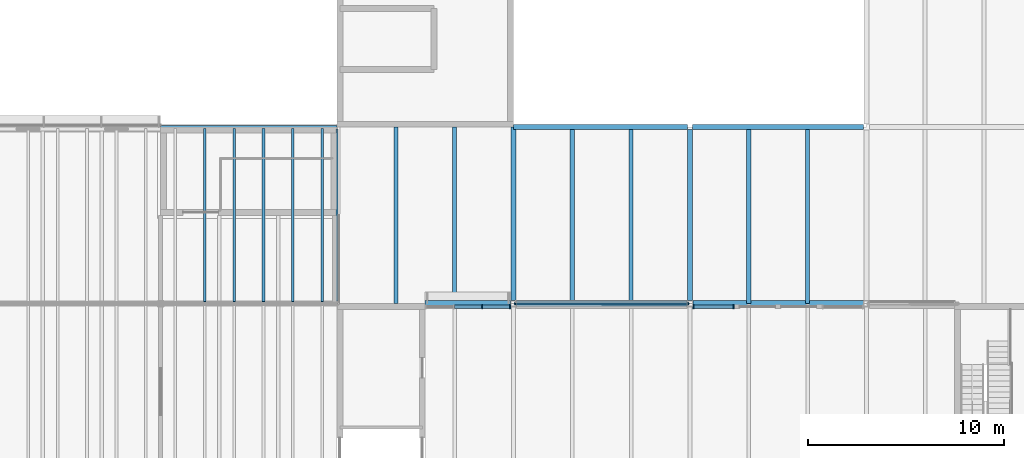
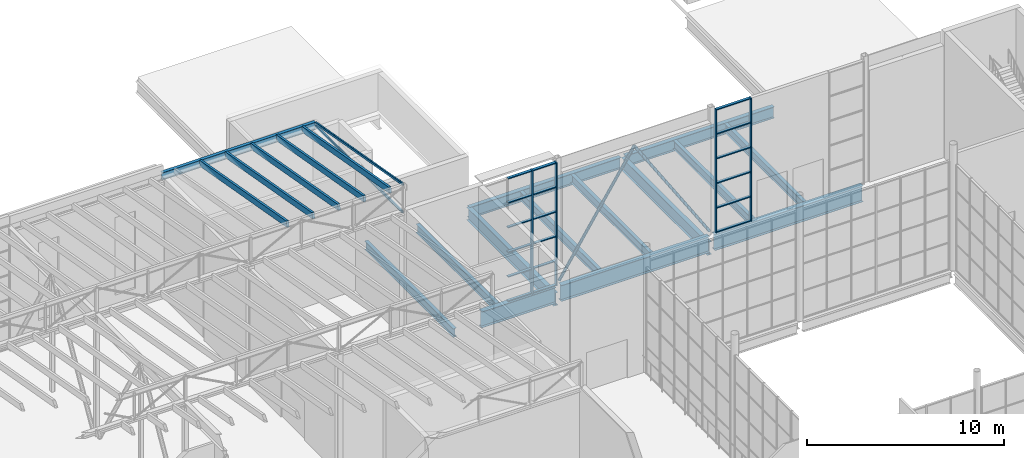
# One storey, part 61 of 90: 31 members, 14 beams, 2 elements without a shape of their own.
"""IFC4 building model written with IfcOpenShell, lengths in metres."""

from ifc_helpers import new_model, si_unit, direction, frame, origin, origin_2d, place, context, subcontext, project, spatial, rectangle, hollow_rectangle, hollow_circle, i_section, extrude, material, layer, layer_set, material_profile, profile_set, type_object, element, aggregate, save


model = new_model("IFC4")

# Units and contexts
model_context = context("Model", 3, precision=1e-05, world=origin(), true_north=direction((0.0, 1.0)))
body_context = subcontext(model_context, "Body", "Model", "MODEL_VIEW")
ifc_project = project(units=[si_unit("LENGTHUNIT", "METRE"), si_unit("AREAUNIT", "SQUARE_METRE"), si_unit("VOLUMEUNIT", "CUBIC_METRE"), si_unit("PLANEANGLEUNIT", "RADIAN"), si_unit("MASSUNIT", "GRAM", prefix="KILO")], contexts=[model_context])

# Site, building, storey
site_placement = place(None, origin())
site = spatial("IfcSite", under=ifc_project, at=site_placement, CompositionType="ELEMENT")
building_placement = place(site_placement, origin())
building = spatial("IfcBuilding", under=site, at=building_placement, Name="Halyard Row Museum", CompositionType="ELEMENT")
storey_placement = place(building_placement, frame((0.0, 0.0, 13.39990234375)))
storey = spatial("IfcBuildingStorey", under=building, at=storey_placement, Name="L03", CompositionType="ELEMENT", Elevation=13.39990234375)

# Members
ifc_material_1 = material(Name="Steel Grade C350L0", Category="steel")
ifc_material_profile_1 = material_profile(ifc_material_1, hollow_circle(Radius=0.084228515625, WallThickness=0.007080078125, at=origin_2d()), Name="168.3x7.1CHS")
ifc_profile_set_1 = profile_set([ifc_material_profile_1], Name="Steel Grade C350L0")
member_type_1 = type_object("IfcMemberType", Name="Brace 168.3x7.1CHS", PredefinedType="BRACE", material=ifc_profile_set_1)
for number, where, z_axis, x_axis, name in (
    (1, (81.10009765625, 36.0, 0.084228515625), (0.542663096229, 0.0, 0.839950453296), (0.0, 1.0, 0.0), "Brace L03 Y36 81-90 A"),
    (2, (89.89990234375, 36.0, 0.084228515625), (-0.542663096229, 0.0, 0.839950453296), (0.0, -1.0, 0.0), "Brace L03 Y36 81-90 B"),
):
    element("IfcMember", number, at=place(storey_placement, frame(where, z_axis=z_axis, x_axis=x_axis)), inside=storey, type_object=member_type_1, Name=name, PredefinedType="BRACE", context=body_context, shape_type="SweptSolid", body=[
        extrude(hollow_circle(Radius=0.084228515625, WallThickness=0.007080078125, at=origin_2d()), origin(), (0.0, 0.0, 1.0), 8.10791015625),
    ])

# Curtain wall, members
ifc_material_2 = material(Name="Double glazed unit, low-emissivity", Category="glass")
ifc_layer = layer(ifc_material_2, 0.219970703125)
ifc_layer_set = layer_set([ifc_layer], Name="Double glazed unit, low-emissivity")
curtain_wall_type = type_object("IfcCurtainWallType", Name="Curtain wall unitised 220 deep", PredefinedType="NOTDEFINED", material=ifc_layer_set)
curtain_wall_1_placement = place(storey_placement, origin())
curtain_wall_1 = element("IfcCurtainWall", 3, at=curtain_wall_1_placement, inside=storey, type_object=curtain_wall_type, Name="Curtain wall CW051", PredefinedType="NOTDEFINED")
ifc_material_3 = material(Name="Powder-coated aluminium section", Category="aluminium")
ifc_material_profile_2 = material_profile(ifc_material_3, rectangle(XDim=0.219970703125, YDim=0.06005859375, at=origin_2d()), Name="220x60 mullion")
ifc_profile_set_2 = profile_set([ifc_material_profile_2], Name="Powder-coated aluminium section")
member_type_2 = type_object("IfcMemberType", Name="Curtain wall mullion CM3 60 x 220", PredefinedType="MULLION", material=ifc_profile_set_2)
member_1_placement = place(storey_placement, frame((92.219970703125, 35.840087890625, 0.0), z_axis=(0.0, 0.0, 1.0), x_axis=(0.0, -1.0, 0.0)))
member_1 = element("IfcMember", 4, at=member_1_placement, type_object=member_type_2, Name="CW051 mullion 1", PredefinedType="MULLION", context=body_context, shape_type="SweptSolid", body=[
    extrude(rectangle(XDim=0.219970703125, YDim=0.06005859375, at=origin_2d()), origin(), (0.0, 0.0, 1.0), 7.635009765625),
])
member_2_placement = place(storey_placement, frame((90.179931640625, 35.840087890625, 0.0), z_axis=(0.0, 0.0, 1.0), x_axis=(0.0, -1.0, 0.0)))
member_2 = element("IfcMember", 5, at=member_2_placement, type_object=member_type_2, Name="CW051 mullion 2", PredefinedType="MULLION", context=body_context, shape_type="SweptSolid", body=[
    extrude(rectangle(XDim=0.219970703125, YDim=0.06005859375, at=origin_2d()), origin(), (0.0, 0.0, 1.0), 7.635009765625),
])

curtain_wall_2_placement = place(storey_placement, origin())
curtain_wall_2 = element("IfcCurtainWall", 6, at=curtain_wall_2_placement, inside=storey, type_object=curtain_wall_type, Name="Curtain wall CW052", PredefinedType="NOTDEFINED")
member_3_placement = place(storey_placement, frame((80.820068359375, 35.840087890625, 0.0), z_axis=(0.0, 0.0, 1.0), x_axis=(0.0, -1.0, 0.0)))
member_3 = element("IfcMember", 7, at=member_3_placement, type_object=member_type_2, Name="CW052 mullion 1", PredefinedType="MULLION", context=body_context, shape_type="SweptSolid", body=[
    extrude(rectangle(XDim=0.219970703125, YDim=0.06005859375, at=origin_2d()), origin(), (0.0, 0.0, 1.0), 7.635009765625),
])
member_4_placement = place(storey_placement, frame((79.39990234375, 35.840087890625, 0.0), z_axis=(0.0, 0.0, 1.0), x_axis=(0.0, -1.0, 0.0)))
member_4 = element("IfcMember", 8, at=member_4_placement, type_object=member_type_2, Name="CW052 mullion 2", PredefinedType="MULLION", context=body_context, shape_type="SweptSolid", body=[
    extrude(rectangle(XDim=0.219970703125, YDim=0.06005859375, at=origin_2d()), origin(), (0.0, 0.0, 1.0), 7.635009765625),
])

# Member
ifc_material_4 = material(Name="Powder-coated aluminium section", Category="aluminium")
ifc_material_profile_3 = material_profile(ifc_material_4, rectangle(XDim=0.159912109375, YDim=0.06005859375, at=origin_2d()), Name="160x60 transom")
ifc_profile_set_3 = profile_set([ifc_material_profile_3], Name="Powder-coated aluminium section")
member_type_3 = type_object("IfcMemberType", Name="Curtain wall transom CT3 60 x 160", PredefinedType="USERDEFINED", material=ifc_profile_set_3)
member_5_placement = place(storey_placement, frame((92.18994140625, 35.840087890625, 0.030029296875), z_axis=(-1.0, 0.0, 0.0), x_axis=(0.0, -1.0, 0.0)))
member_5 = element("IfcMember", 9, at=member_5_placement, type_object=member_type_3, Name="CW051 transom 1.1", ObjectType="TRANSOM", PredefinedType="USERDEFINED", context=body_context, shape_type="SweptSolid", body=[
    extrude(rectangle(XDim=0.159912109375, YDim=0.06005859375, at=origin_2d()), origin(), (0.0, 0.0, 1.0), 1.97998046875),
])

member_6_placement = place(storey_placement, frame((92.18994140625, 35.840087890625, 1.527099609375), z_axis=(-1.0, 0.0, 0.0), x_axis=(0.0, -1.0, 0.0)))
member_6 = element("IfcMember", 10, at=member_6_placement, type_object=member_type_3, Name="CW051 transom 1.2", ObjectType="TRANSOM", PredefinedType="USERDEFINED", context=body_context, shape_type="SweptSolid", body=[
    extrude(rectangle(XDim=0.159912109375, YDim=0.06005859375, at=origin_2d()), origin(), (0.0, 0.0, 1.0), 1.97998046875),
])

member_7_placement = place(storey_placement, frame((92.18994140625, 35.840087890625, 3.05419921875), z_axis=(-1.0, 0.0, 0.0), x_axis=(0.0, -1.0, 0.0)))
member_7 = element("IfcMember", 11, at=member_7_placement, type_object=member_type_3, Name="CW051 transom 1.3", ObjectType="TRANSOM", PredefinedType="USERDEFINED", context=body_context, shape_type="SweptSolid", body=[
    extrude(rectangle(XDim=0.159912109375, YDim=0.06005859375, at=origin_2d()), origin(), (0.0, 0.0, 1.0), 1.97998046875),
])

member_8_placement = place(storey_placement, frame((92.18994140625, 35.840087890625, 4.5810546875), z_axis=(-1.0, 0.0, 0.0), x_axis=(0.0, -1.0, 0.0)))
member_8 = element("IfcMember", 12, at=member_8_placement, type_object=member_type_3, Name="CW051 transom 1.4", ObjectType="TRANSOM", PredefinedType="USERDEFINED", context=body_context, shape_type="SweptSolid", body=[
    extrude(rectangle(XDim=0.159912109375, YDim=0.06005859375, at=origin_2d()), origin(), (0.0, 0.0, 1.0), 1.97998046875),
])

member_9_placement = place(storey_placement, frame((92.18994140625, 35.840087890625, 6.108154296875), z_axis=(-1.0, 0.0, 0.0), x_axis=(0.0, -1.0, 0.0)))
member_9 = element("IfcMember", 13, at=member_9_placement, type_object=member_type_3, Name="CW051 transom 1.5", ObjectType="TRANSOM", PredefinedType="USERDEFINED", context=body_context, shape_type="SweptSolid", body=[
    extrude(rectangle(XDim=0.159912109375, YDim=0.06005859375, at=origin_2d()), origin(), (0.0, 0.0, 1.0), 1.97998046875),
])

member_10_placement = place(storey_placement, frame((92.18994140625, 35.840087890625, 7.60498046875), z_axis=(-1.0, 0.0, 0.0), x_axis=(0.0, -1.0, 0.0)))
member_10 = element("IfcMember", 14, at=member_10_placement, type_object=member_type_3, Name="CW051 transom 1.6", ObjectType="TRANSOM", PredefinedType="USERDEFINED", context=body_context, shape_type="SweptSolid", body=[
    extrude(rectangle(XDim=0.159912109375, YDim=0.06005859375, at=origin_2d()), origin(), (0.0, 0.0, 1.0), 1.97998046875),
])

aggregate(curtain_wall_1, [member_1, member_2, member_5, member_6, member_7, member_8, member_9, member_10])

member_11_placement = place(storey_placement, frame((80.7900390625, 35.840087890625, 0.030029296875), z_axis=(-1.0, 0.0, 0.0), x_axis=(0.0, -1.0, 0.0)))
member_11 = element("IfcMember", 15, at=member_11_placement, type_object=member_type_3, Name="CW052 transom 1.1", ObjectType="TRANSOM", PredefinedType="USERDEFINED", context=body_context, shape_type="SweptSolid", body=[
    extrude(rectangle(XDim=0.159912109375, YDim=0.06005859375, at=origin_2d()), origin(), (0.0, 0.0, 1.0), 1.360107421875),
])

member_12_placement = place(storey_placement, frame((80.7900390625, 35.840087890625, 1.527099609375), z_axis=(-1.0, 0.0, 0.0), x_axis=(0.0, -1.0, 0.0)))
member_12 = element("IfcMember", 16, at=member_12_placement, type_object=member_type_3, Name="CW052 transom 1.2", ObjectType="TRANSOM", PredefinedType="USERDEFINED", context=body_context, shape_type="SweptSolid", body=[
    extrude(rectangle(XDim=0.159912109375, YDim=0.06005859375, at=origin_2d()), origin(), (0.0, 0.0, 1.0), 1.360107421875),
])

member_13_placement = place(storey_placement, frame((80.7900390625, 35.840087890625, 3.05419921875), z_axis=(-1.0, 0.0, 0.0), x_axis=(0.0, -1.0, 0.0)))
member_13 = element("IfcMember", 17, at=member_13_placement, type_object=member_type_3, Name="CW052 transom 1.3", ObjectType="TRANSOM", PredefinedType="USERDEFINED", context=body_context, shape_type="SweptSolid", body=[
    extrude(rectangle(XDim=0.159912109375, YDim=0.06005859375, at=origin_2d()), origin(), (0.0, 0.0, 1.0), 1.360107421875),
])

member_14_placement = place(storey_placement, frame((80.7900390625, 35.840087890625, 4.5810546875), z_axis=(-1.0, 0.0, 0.0), x_axis=(0.0, -1.0, 0.0)))
member_14 = element("IfcMember", 18, at=member_14_placement, type_object=member_type_3, Name="CW052 transom 1.4", ObjectType="TRANSOM", PredefinedType="USERDEFINED", context=body_context, shape_type="SweptSolid", body=[
    extrude(rectangle(XDim=0.159912109375, YDim=0.06005859375, at=origin_2d()), origin(), (0.0, 0.0, 1.0), 1.360107421875),
])

member_15_placement = place(storey_placement, frame((80.7900390625, 35.840087890625, 6.108154296875), z_axis=(-1.0, 0.0, 0.0), x_axis=(0.0, -1.0, 0.0)))
member_15 = element("IfcMember", 19, at=member_15_placement, type_object=member_type_3, Name="CW052 transom 1.5", ObjectType="TRANSOM", PredefinedType="USERDEFINED", context=body_context, shape_type="SweptSolid", body=[
    extrude(rectangle(XDim=0.159912109375, YDim=0.06005859375, at=origin_2d()), origin(), (0.0, 0.0, 1.0), 1.360107421875),
])

member_16_placement = place(storey_placement, frame((80.7900390625, 35.840087890625, 7.60498046875), z_axis=(-1.0, 0.0, 0.0), x_axis=(0.0, -1.0, 0.0)))
member_16 = element("IfcMember", 20, at=member_16_placement, type_object=member_type_3, Name="CW052 transom 1.6", ObjectType="TRANSOM", PredefinedType="USERDEFINED", context=body_context, shape_type="SweptSolid", body=[
    extrude(rectangle(XDim=0.159912109375, YDim=0.06005859375, at=origin_2d()), origin(), (0.0, 0.0, 1.0), 1.360107421875),
])

member_17_placement = place(storey_placement, frame((79.3701171875, 35.840087890625, 0.030029296875), z_axis=(-1.0, 0.0, 0.0), x_axis=(0.0, -1.0, 0.0)))
member_17 = element("IfcMember", 21, at=member_17_placement, type_object=member_type_3, Name="CW052 transom 2.1", ObjectType="TRANSOM", PredefinedType="USERDEFINED", context=body_context, shape_type="SweptSolid", body=[
    extrude(rectangle(XDim=0.159912109375, YDim=0.06005859375, at=origin_2d()), origin(), (0.0, 0.0, 1.0), 1.39013671875),
])

member_18_placement = place(storey_placement, frame((79.3701171875, 35.840087890625, 1.527099609375), z_axis=(-1.0, 0.0, 0.0), x_axis=(0.0, -1.0, 0.0)))
member_18 = element("IfcMember", 22, at=member_18_placement, type_object=member_type_3, Name="CW052 transom 2.2", ObjectType="TRANSOM", PredefinedType="USERDEFINED", context=body_context, shape_type="SweptSolid", body=[
    extrude(rectangle(XDim=0.159912109375, YDim=0.06005859375, at=origin_2d()), origin(), (0.0, 0.0, 1.0), 1.39013671875),
])

member_19_placement = place(storey_placement, frame((79.3701171875, 35.840087890625, 3.05419921875), z_axis=(-1.0, 0.0, 0.0), x_axis=(0.0, -1.0, 0.0)))
member_19 = element("IfcMember", 23, at=member_19_placement, type_object=member_type_3, Name="CW052 transom 2.3", ObjectType="TRANSOM", PredefinedType="USERDEFINED", context=body_context, shape_type="SweptSolid", body=[
    extrude(rectangle(XDim=0.159912109375, YDim=0.06005859375, at=origin_2d()), origin(), (0.0, 0.0, 1.0), 1.39013671875),
])

member_20_placement = place(storey_placement, frame((79.3701171875, 35.840087890625, 4.5810546875), z_axis=(-1.0, 0.0, 0.0), x_axis=(0.0, -1.0, 0.0)))
member_20 = element("IfcMember", 24, at=member_20_placement, type_object=member_type_3, Name="CW052 transom 2.4", ObjectType="TRANSOM", PredefinedType="USERDEFINED", context=body_context, shape_type="SweptSolid", body=[
    extrude(rectangle(XDim=0.159912109375, YDim=0.06005859375, at=origin_2d()), origin(), (0.0, 0.0, 1.0), 1.39013671875),
])

member_21_placement = place(storey_placement, frame((79.3701171875, 35.840087890625, 6.108154296875), z_axis=(-1.0, 0.0, 0.0), x_axis=(0.0, -1.0, 0.0)))
member_21 = element("IfcMember", 25, at=member_21_placement, type_object=member_type_3, Name="CW052 transom 2.5", ObjectType="TRANSOM", PredefinedType="USERDEFINED", context=body_context, shape_type="SweptSolid", body=[
    extrude(rectangle(XDim=0.159912109375, YDim=0.06005859375, at=origin_2d()), origin(), (0.0, 0.0, 1.0), 1.39013671875),
])

member_22_placement = place(storey_placement, frame((79.3701171875, 35.840087890625, 7.60498046875), z_axis=(-1.0, 0.0, 0.0), x_axis=(0.0, -1.0, 0.0)))
member_22 = element("IfcMember", 26, at=member_22_placement, type_object=member_type_3, Name="CW052 transom 2.6", ObjectType="TRANSOM", PredefinedType="USERDEFINED", context=body_context, shape_type="SweptSolid", body=[
    extrude(rectangle(XDim=0.159912109375, YDim=0.06005859375, at=origin_2d()), origin(), (0.0, 0.0, 1.0), 1.39013671875),
])

aggregate(curtain_wall_2, [member_3, member_4, member_11, member_12, member_13, member_14, member_15, member_16, member_17, member_18, member_19, member_20, member_21, member_22])

# Beams
ifc_material_5 = material(Name="Steel Grade 300", Category="steel")
ifc_material_profile_4 = material_profile(ifc_material_5, i_section(OverallWidth=0.19091796875, OverallDepth=0.46044921875, WebThickness=0.010009765625, FlangeThickness=0.01611328125, FilletRadius=0.011474609375, at=origin_2d()), Name="460UB82.1")
ifc_profile_set_4 = profile_set([ifc_material_profile_4], Name="Steel Grade 300")
beam_type_1 = type_object("IfcBeamType", Name="Eave girder 460UB82.1", PredefinedType="BEAM", material=ifc_profile_set_4)
beam_1_placement = place(storey_placement, frame((63.0, 45.0, 7.449951171875), z_axis=(1.0, 0.0, 0.0), x_axis=(0.0, 1.0, 0.0)))
element("IfcBeam", 27, at=beam_1_placement, inside=storey, type_object=beam_type_1, Name="V1 eave girder 4.5", PredefinedType="BEAM", context=body_context, shape_type="SweptSolid", body=[
    extrude(i_section(OverallWidth=0.19091796875, OverallDepth=0.46044921875, WebThickness=0.010009765625, FlangeThickness=0.01611328125, FilletRadius=0.011474609375, at=origin_2d()), origin(), (0.0, 0.0, 1.0), 9.0),
])
ifc_material_6 = material(Name="Steel Grade 300", Category="steel")
ifc_material_profile_5 = material_profile(ifc_material_6, i_section(OverallWidth=0.25, OverallDepth=0.699951171875, WebThickness=0.010009765625, FlangeThickness=0.02001953125, at=origin_2d()), Name="700WB130")
ifc_profile_set_5 = profile_set([ifc_material_profile_5], Name="Steel Grade 300")
beam_type_2 = type_object("IfcBeamType", Name="Edge beam 700WB130 (lowered 585)", PredefinedType="BEAM", material=ifc_profile_set_5)
beam_2_placement = place(storey_placement, frame((81.0, 45.0, -1.099853515625), z_axis=(1.0, 0.0, 0.0), x_axis=(0.0, 1.0, 0.0)))
element("IfcBeam", 28, at=beam_2_placement, inside=storey, type_object=beam_type_2, Name="Beam L03-039", PredefinedType="BEAM", context=body_context, shape_type="SweptSolid", body=[
    extrude(i_section(OverallWidth=0.25, OverallDepth=0.699951171875, WebThickness=0.010009765625, FlangeThickness=0.02001953125, at=origin_2d()), origin(), (0.0, 0.0, 1.0), 8.875),
])
beam_3_placement = place(storey_placement, frame((90.125, 45.0, -1.099853515625), z_axis=(1.0, 0.0, 0.0), x_axis=(0.0, 1.0, 0.0)))
element("IfcBeam", 29, at=beam_3_placement, inside=storey, type_object=beam_type_2, Name="Beam L03-040", PredefinedType="BEAM", context=body_context, shape_type="SweptSolid", body=[
    extrude(i_section(OverallWidth=0.25, OverallDepth=0.699951171875, WebThickness=0.010009765625, FlangeThickness=0.02001953125, at=origin_2d()), origin(), (0.0, 0.0, 1.0), 8.72509765625),
])

# Members
ifc_material_7 = material(Name="Steel Grade C350L0", Category="steel")
ifc_material_profile_6 = material_profile(ifc_material_7, hollow_rectangle(XDim=0.10009765625, YDim=0.14990234375, WallThickness=0.006103515625, InnerFilletRadius=0.009033203125, OuterFilletRadius=0.014892578125, at=origin_2d()), Name="150x100x6.0RHS")
ifc_profile_set_6 = profile_set([ifc_material_profile_6], Name="Steel Grade C350L0")
member_type_4 = type_object("IfcMemberType", Name="Gable end chord 150x100x6.0RHS", PredefinedType="CHORD", material=ifc_profile_set_6)
member_23_placement = place(storey_placement, frame((72.0, 36.126953125, 7.44775390625), z_axis=(0.0, 1.0, 0.0), x_axis=(-1.0, 0.0, 0.0)))
element("IfcMember", 30, at=member_23_placement, inside=storey, type_object=member_type_4, Name="V1-GE3 eave chord", PredefinedType="CHORD", context=body_context, shape_type="SweptSolid", body=[
    extrude(hollow_rectangle(XDim=0.10009765625, YDim=0.14990234375, WallThickness=0.006103515625, InnerFilletRadius=0.009033203125, OuterFilletRadius=0.014892578125, at=origin_2d()), origin(), (0.0, 0.0, 1.0), 8.777587890625),
])
ifc_material_8 = material(Name="Steel Grade C350L0", Category="steel")
ifc_material_profile_7 = material_profile(ifc_material_8, hollow_rectangle(XDim=0.10009765625, YDim=0.14990234375, WallThickness=0.006103515625, InnerFilletRadius=0.009033203125, OuterFilletRadius=0.014892578125, at=origin_2d()), Name="150x100x6.0RHS")
ifc_profile_set_7 = profile_set([ifc_material_profile_7], Name="Steel Grade C350L0")
member_type_5 = type_object("IfcMemberType", Name="Gable end rafter 150x100x6.0RHS", PredefinedType="RAFTER", material=ifc_profile_set_7)
member_24_placement = place(storey_placement, frame((72.0, 36.074951171875, 9.190673828125), z_axis=(0.0, 0.98456021411, -0.175046236154), x_axis=(-1.0, 0.0, 0.0)))
element("IfcMember", 31, at=member_24_placement, inside=storey, type_object=member_type_5, Name="V1-GE3 raking rafter", PredefinedType="RAFTER", context=body_context, shape_type="SweptSolid", body=[
    extrude(hollow_rectangle(XDim=0.10009765625, YDim=0.14990234375, WallThickness=0.006103515625, InnerFilletRadius=0.009033203125, OuterFilletRadius=0.014892578125, at=origin_2d()), origin(), (0.0, 0.0, 1.0), 8.968017578125),
])

# Beams
ifc_material_9 = material(Name="Steel Grade 300", Category="steel")
ifc_material_profile_8 = material_profile(ifc_material_9, i_section(OverallWidth=0.25, OverallDepth=0.7919921875, WebThickness=0.010009765625, FlangeThickness=0.01611328125, at=origin_2d()), Name="800WB122")
ifc_profile_set_8 = profile_set([ifc_material_profile_8], Name="Steel Grade 300")
beam_type_3 = type_object("IfcBeamType", Name="Girder beam 800WB122 (lowered 585)", PredefinedType="BEAM", material=ifc_profile_set_8)
beam_4_placement = place(storey_placement, frame((81.0, 36.160400390625, -1.14599609375), z_axis=(0.0, 1.0, 0.0), x_axis=(-1.0, 0.0, 0.0)))
element("IfcBeam", 32, at=beam_4_placement, inside=storey, type_object=beam_type_3, Name="Beam L03-060", PredefinedType="BEAM", context=body_context, shape_type="SweptSolid", body=[
    extrude(i_section(OverallWidth=0.25, OverallDepth=0.7919921875, WebThickness=0.010009765625, FlangeThickness=0.01611328125, at=origin_2d()), origin(), (0.0, 0.0, 1.0), 8.839599609375),
])
beam_5_placement = place(storey_placement, frame((90.0, 36.154052734375, -1.14599609375), z_axis=(0.0, 1.0, 0.0), x_axis=(-1.0, 0.0, 0.0)))
element("IfcBeam", 33, at=beam_5_placement, inside=storey, type_object=beam_type_3, Name="Beam L03-064", PredefinedType="BEAM", context=body_context, shape_type="SweptSolid", body=[
    extrude(i_section(OverallWidth=0.25, OverallDepth=0.7919921875, WebThickness=0.010009765625, FlangeThickness=0.01611328125, at=origin_2d()), origin(), (0.0, 0.0, 1.0), 8.720947265625),
])

# Members
ifc_material_10 = material(Name="Glulam GL12 radiata pine", Category="wood")
ifc_material_profile_9 = material_profile(ifc_material_10, rectangle(XDim=0.135009765625, YDim=0.360107421875, at=origin_2d()), Name="GL12 135x360")
ifc_profile_set_9 = profile_set([ifc_material_profile_9], Name="Glulam GL12 radiata pine")
member_type_6 = type_object("IfcMemberType", Name="Rafter GL12 135x360", PredefinedType="RAFTER", material=ifc_profile_set_9)
for number, where, z_axis, x_axis, name in (
    (34, (65.25, 36.074462890625, 9.083984375), (0.0, 0.984561882288, -0.175036853105), (-1.0, 0.0, 0.0), "Rafter V1-T3a.26"),
    (35, (66.75, 36.074462890625, 9.083984375), (0.0, 0.984561882288, -0.175036853105), (-1.0, 0.0, 0.0), "Rafter V1-T3a.27"),
    (36, (68.25, 36.074462890625, 9.083984375), (0.0, 0.984561882288, -0.175036853105), (-1.0, 0.0, 0.0), "Rafter V1-T3a.28"),
    (37, (69.75, 36.074462890625, 9.083984375), (0.0, 0.984561882288, -0.175036853105), (-1.0, 0.0, 0.0), "Rafter V1-T3a.29"),
    (38, (71.25, 36.074462890625, 9.083984375), (0.0, 0.984561882288, -0.175036853105), (-1.0, 0.0, 0.0), "Rafter V1-T3a.30"),
):
    element("IfcMember", number, at=place(storey_placement, frame(where, z_axis=z_axis, x_axis=x_axis)), inside=storey, type_object=member_type_6, Name=name, PredefinedType="RAFTER", context=body_context, shape_type="SweptSolid", body=[
        extrude(rectangle(XDim=0.135009765625, YDim=0.360107421875, at=origin_2d()), origin(), (0.0, 0.0, 1.0), 8.968505859375),
    ])

# Beams
ifc_material_11 = material(Name="Steel Grade 300", Category="steel")
ifc_material_profile_10 = material_profile(ifc_material_11, i_section(OverallWidth=0.208984375, OverallDepth=0.5283203125, WebThickness=0.009521484375, FlangeThickness=0.01318359375, FilletRadius=0.013916015625, at=origin_2d()), Name="530UB82.0")
ifc_profile_set_10 = profile_set([ifc_material_profile_10], Name="Steel Grade 300")
beam_type_4 = type_object("IfcBeamType", Name="Secondary beam 530UB82.0 (lowered 585)", PredefinedType="BEAM", material=ifc_profile_set_10)
beam_6_placement = place(storey_placement, frame((75.0, 36.0, -1.013916015625), z_axis=(0.0, 1.0, 0.0), x_axis=(-1.0, 0.0, 0.0)))
element("IfcBeam", 39, at=beam_6_placement, inside=storey, type_object=beam_type_4, Name="Beam L03-115", PredefinedType="BEAM", context=body_context, shape_type="SweptSolid", body=[
    extrude(i_section(OverallWidth=0.208984375, OverallDepth=0.5283203125, WebThickness=0.009521484375, FlangeThickness=0.01318359375, FilletRadius=0.013916015625, at=origin_2d()), origin(), (0.0, 0.0, 1.0), 9.0),
])
beam_7_placement = place(storey_placement, frame((78.0, 36.008056640625, -1.013916015625), z_axis=(0.0, 1.0, 0.0), x_axis=(-1.0, 0.0, 0.0)))
element("IfcBeam", 40, at=beam_7_placement, inside=storey, type_object=beam_type_4, Name="Beam L03-117", PredefinedType="BEAM", context=body_context, shape_type="SweptSolid", body=[
    extrude(i_section(OverallWidth=0.208984375, OverallDepth=0.5283203125, WebThickness=0.009521484375, FlangeThickness=0.01318359375, FilletRadius=0.013916015625, at=origin_2d()), origin(), (0.0, 0.0, 1.0), 8.991943359375),
])
for number, where, z_axis, x_axis, name in (
    (41, (84.0, 36.008056640625, -1.013916015625), (0.0, 1.0, 0.0), (-1.0, 0.0, 0.0), "Beam L03-118"),
    (42, (87.0, 36.008056640625, -1.013916015625), (0.0, 1.0, 0.0), (-1.0, 0.0, 0.0), "Beam L03-119"),
    (43, (93.0, 36.008056640625, -1.013916015625), (0.0, 1.0, 0.0), (-1.0, 0.0, 0.0), "Beam L03-120"),
    (44, (96.0, 36.008056640625, -1.013916015625), (0.0, 1.0, 0.0), (-1.0, 0.0, 0.0), "Beam L03-121"),
):
    element("IfcBeam", number, at=place(storey_placement, frame(where, z_axis=z_axis, x_axis=x_axis)), inside=storey, type_object=beam_type_4, Name=name, PredefinedType="BEAM", context=body_context, shape_type="SweptSolid", body=[
        extrude(i_section(OverallWidth=0.208984375, OverallDepth=0.5283203125, WebThickness=0.009521484375, FlangeThickness=0.01318359375, FilletRadius=0.013916015625, at=origin_2d()), origin(), (0.0, 0.0, 1.0), 8.866943359375),
    ])
ifc_material_12 = material(Name="Steel Grade 300", Category="steel")
ifc_material_profile_11 = material_profile(ifc_material_12, i_section(OverallWidth=0.300048828125, OverallDepth=1.0, WebThickness=0.01611328125, FlangeThickness=0.02001953125, at=origin_2d()), Name="1000WB215")
ifc_profile_set_11 = profile_set([ifc_material_profile_11], Name="Steel Grade 300")
beam_type_5 = type_object("IfcBeamType", Name="Stepped beam 1000WB215", PredefinedType="BEAM", material=ifc_profile_set_11)
beam_8_placement = place(storey_placement, frame((76.5, 36.0, -0.664794921875), z_axis=(1.0, 0.0, 0.0), x_axis=(0.0, 1.0, 0.0)))
element("IfcBeam", 45, at=beam_8_placement, inside=storey, type_object=beam_type_5, Name="Beam L03-032", PredefinedType="BEAM", context=body_context, shape_type="SweptSolid", body=[
    extrude(i_section(OverallWidth=0.300048828125, OverallDepth=1.0, WebThickness=0.01611328125, FlangeThickness=0.02001953125, at=origin_2d()), origin(), (0.0, 0.0, 1.0), 4.345458984375),
])
for number, where, z_axis, x_axis, name in (
    (46, (81.154541015625, 36.0, -0.664794921875), (1.0, 0.0, 0.0), (0.0, 1.0, 0.0), "Beam L03-033"),
    (47, (90.152587890625, 36.0, -0.664794921875), (1.0, 0.0, 0.0), (0.0, 1.0, 0.0), "Beam L03-034"),
):
    element("IfcBeam", number, at=place(storey_placement, frame(where, z_axis=z_axis, x_axis=x_axis)), inside=storey, type_object=beam_type_5, Name=name, PredefinedType="BEAM", context=body_context, shape_type="SweptSolid", body=[
        extrude(i_section(OverallWidth=0.300048828125, OverallDepth=1.0, WebThickness=0.01611328125, FlangeThickness=0.02001953125, at=origin_2d()), origin(), (0.0, 0.0, 1.0), 8.69287109375),
    ])

save(model, "model.ifc")
